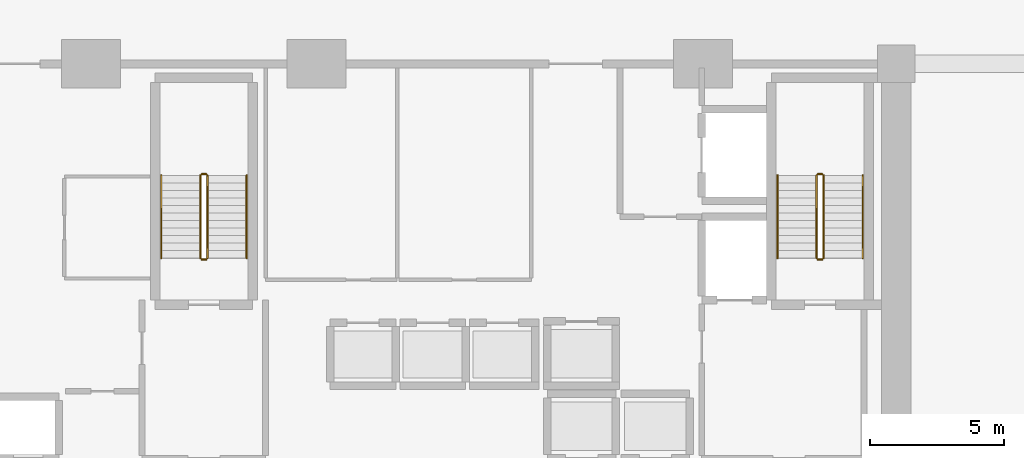
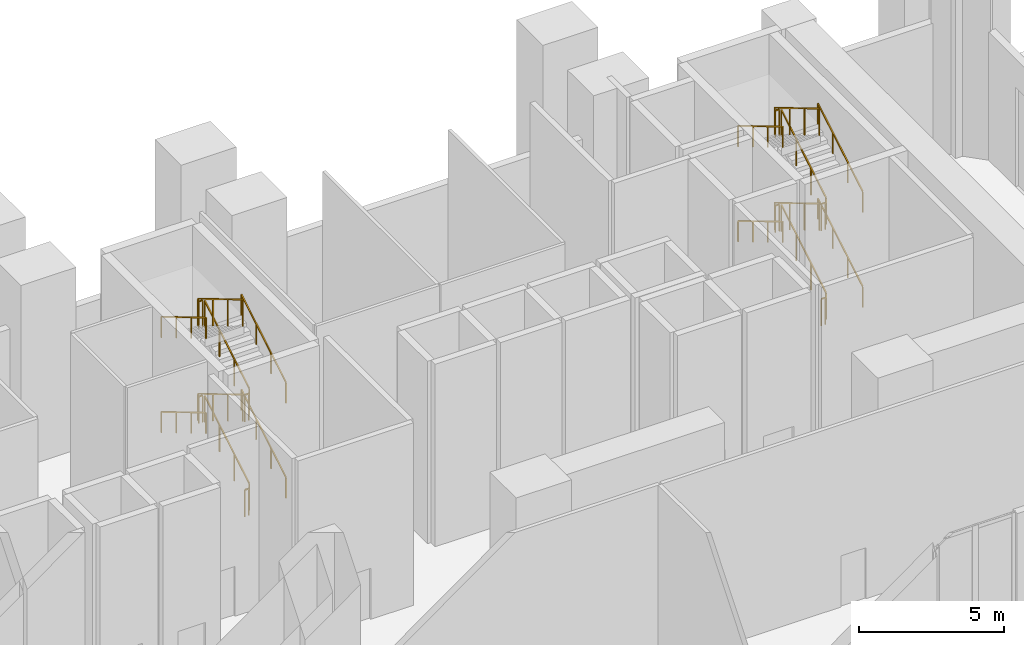
# One storey, part 16 of 17: 24 railings.
"""IFC4 building model written with IfcOpenShell, lengths in metres."""

from ifc_helpers import new_model, si_unit, direction, frame, origin, origin_2d, place, context, subcontext, project, spatial, rectangle, extrude, material, type_object, element, save


model = new_model("IFC4")

# Units and contexts
model_context = context("Model", 3, precision=1e-05, world=origin(), true_north=direction((0.0, 1.0)))
body_context = subcontext(model_context, "Body", "Model", "MODEL_VIEW")
ifc_project = project(units=[si_unit("LENGTHUNIT", "METRE"), si_unit("AREAUNIT", "SQUARE_METRE"), si_unit("VOLUMEUNIT", "CUBIC_METRE"), si_unit("PLANEANGLEUNIT", "RADIAN"), si_unit("MASSUNIT", "GRAM", prefix="KILO")], contexts=[model_context])

# Site, building, storey
site_placement = place(None, origin())
site = spatial("IfcSite", under=ifc_project, at=site_placement, CompositionType="ELEMENT")
building_placement = place(site_placement, origin())
building = spatial("IfcBuilding", under=site, at=building_placement, Name="Kaelvorn Grand Hotel", CompositionType="ELEMENT")
storey_placement = place(building_placement, origin())
storey = spatial("IfcBuildingStorey", under=building, at=storey_placement, Name="L00", CompositionType="ELEMENT", Elevation=0.0)

# Railings
ifc_material = material(Name="Stainless Steel", Category="steel")
railing_type_1 = type_object("IfcRailingType", Name="RL-HANDRAIL-900", PredefinedType="HANDRAIL", material=ifc_material)
railing_1_placement = place(storey_placement, frame((43.590087890625, 41.760009765625, 0.166748046875)))
element("IfcRailing", 1, at=railing_1_placement, inside=storey, type_object=railing_type_1, Name="L00 ST2 stair handrail 1", PredefinedType="HANDRAIL", context=body_context, shape_type="SweptSolid", body=[
    extrude(rectangle(XDim=0.048095703125, YDim=0.048095703125, at=origin_2d()), frame((0.0, 0.0, 0.8759765625), z_axis=(0.0, 0.859308565015, 0.511457515432), x_axis=(-1.0, 0.0, 0.0)), (0.0, 0.0, 1.0), 3.58447265625),
    extrude(rectangle(XDim=0.0419921875, YDim=0.0419921875, at=origin_2d()), origin(), (0.0, 0.0, 1.0), 0.851806640625),
    extrude(rectangle(XDim=0.0419921875, YDim=0.0419921875, at=origin_2d()), frame((0.0, 1.026611328125, 0.611083984375)), (0.0, 0.0, 1.0), 0.851806640625),
    extrude(rectangle(XDim=0.0419921875, YDim=0.0419921875, at=origin_2d()), frame((0.0, 2.053466796875, 1.22216796875)), (0.0, 0.0, 1.0), 0.851806640625),
    extrude(rectangle(XDim=0.0419921875, YDim=0.0419921875, at=origin_2d()), frame((0.0, 3.080078125, 1.833251953125)), (0.0, 0.0, 1.0), 0.851806640625),
])
railing_2_placement = place(storey_placement, frame((40.409912109375, 44.840087890625, 2.166748046875)))
element("IfcRailing", 2, at=railing_2_placement, inside=storey, type_object=railing_type_1, Name="L00 ST2 stair handrail 2", PredefinedType="HANDRAIL", context=body_context, shape_type="SweptSolid", body=[
    extrude(rectangle(XDim=0.048095703125, YDim=0.048095703125, at=origin_2d()), frame((0.0, 0.0, 0.8759765625), z_axis=(0.0, -0.859308565015, 0.511457515432), x_axis=(1.0, 0.0, 0.0)), (0.0, 0.0, 1.0), 3.58447265625),
    extrude(rectangle(XDim=0.0419921875, YDim=0.0419921875, at=origin_2d()), origin(), (0.0, 0.0, 1.0), 0.851806640625),
    extrude(rectangle(XDim=0.0419921875, YDim=0.0419921875, at=origin_2d()), frame((0.0, -1.026611328125, 0.611083984375)), (0.0, 0.0, 1.0), 0.851806640625),
    extrude(rectangle(XDim=0.0419921875, YDim=0.0419921875, at=origin_2d()), frame((0.0, -2.053466796875, 1.22216796875)), (0.0, 0.0, 1.0), 0.851806640625),
    extrude(rectangle(XDim=0.0419921875, YDim=0.0419921875, at=origin_2d()), frame((0.0, -3.080078125, 1.833251953125)), (0.0, 0.0, 1.0), 0.851806640625),
])
railing_3_placement = place(storey_placement, frame((43.590087890625, 41.760009765625, 4.166748046875)))
element("IfcRailing", 3, at=railing_3_placement, inside=storey, type_object=railing_type_1, Name="L00 ST2 stair handrail 3", PredefinedType="HANDRAIL", context=body_context, shape_type="SweptSolid", body=[
    extrude(rectangle(XDim=0.048095703125, YDim=0.048095703125, at=origin_2d()), frame((0.0, 0.0, 0.8759765625), z_axis=(0.0, 0.859308565015, 0.511457515432), x_axis=(-1.0, 0.0, 0.0)), (0.0, 0.0, 1.0), 3.58447265625),
    extrude(rectangle(XDim=0.0419921875, YDim=0.0419921875, at=origin_2d()), origin(), (0.0, 0.0, 1.0), 0.851806640625),
    extrude(rectangle(XDim=0.0419921875, YDim=0.0419921875, at=origin_2d()), frame((0.0, 1.026611328125, 0.611083984375)), (0.0, 0.0, 1.0), 0.851806640625),
    extrude(rectangle(XDim=0.0419921875, YDim=0.0419921875, at=origin_2d()), frame((0.0, 2.053466796875, 1.22216796875)), (0.0, 0.0, 1.0), 0.851806640625),
    extrude(rectangle(XDim=0.0419921875, YDim=0.0419921875, at=origin_2d()), frame((0.0, 3.080078125, 1.833251953125)), (0.0, 0.0, 1.0), 0.851806640625),
])
railing_4_placement = place(storey_placement, frame((40.409912109375, 44.840087890625, 6.166748046875)))
element("IfcRailing", 4, at=railing_4_placement, inside=storey, type_object=railing_type_1, Name="L00 ST2 stair handrail 4", PredefinedType="HANDRAIL", context=body_context, shape_type="SweptSolid", body=[
    extrude(rectangle(XDim=0.048095703125, YDim=0.048095703125, at=origin_2d()), frame((0.0, 0.0, 0.8759765625), z_axis=(0.0, -0.859308565015, 0.511457515432), x_axis=(1.0, 0.0, 0.0)), (0.0, 0.0, 1.0), 3.58447265625),
    extrude(rectangle(XDim=0.0419921875, YDim=0.0419921875, at=origin_2d()), origin(), (0.0, 0.0, 1.0), 0.851806640625),
    extrude(rectangle(XDim=0.0419921875, YDim=0.0419921875, at=origin_2d()), frame((0.0, -1.026611328125, 0.611083984375)), (0.0, 0.0, 1.0), 0.851806640625),
    extrude(rectangle(XDim=0.0419921875, YDim=0.0419921875, at=origin_2d()), frame((0.0, -2.053466796875, 1.22216796875)), (0.0, 0.0, 1.0), 0.851806640625),
    extrude(rectangle(XDim=0.0419921875, YDim=0.0419921875, at=origin_2d()), frame((0.0, -3.080078125, 1.833251953125)), (0.0, 0.0, 1.0), 0.851806640625),
])
railing_5_placement = place(storey_placement, frame((66.550048828125, 41.760009765625, 0.166748046875)))
element("IfcRailing", 5, at=railing_5_placement, inside=storey, type_object=railing_type_1, Name="L00 ST3 stair handrail 1", PredefinedType="HANDRAIL", context=body_context, shape_type="SweptSolid", body=[
    extrude(rectangle(XDim=0.048095703125, YDim=0.048095703125, at=origin_2d()), frame((0.0, 0.0, 0.8759765625), z_axis=(0.0, 0.859308565015, 0.511457515432), x_axis=(-1.0, 0.0, 0.0)), (0.0, 0.0, 1.0), 3.58447265625),
    extrude(rectangle(XDim=0.0419921875, YDim=0.0419921875, at=origin_2d()), origin(), (0.0, 0.0, 1.0), 0.851806640625),
    extrude(rectangle(XDim=0.0419921875, YDim=0.0419921875, at=origin_2d()), frame((0.0, 1.026611328125, 0.611083984375)), (0.0, 0.0, 1.0), 0.851806640625),
    extrude(rectangle(XDim=0.0419921875, YDim=0.0419921875, at=origin_2d()), frame((0.0, 2.053466796875, 1.22216796875)), (0.0, 0.0, 1.0), 0.851806640625),
    extrude(rectangle(XDim=0.0419921875, YDim=0.0419921875, at=origin_2d()), frame((0.0, 3.080078125, 1.833251953125)), (0.0, 0.0, 1.0), 0.851806640625),
])
railing_6_placement = place(storey_placement, frame((63.3701171875, 44.840087890625, 2.166748046875)))
element("IfcRailing", 6, at=railing_6_placement, inside=storey, type_object=railing_type_1, Name="L00 ST3 stair handrail 2", PredefinedType="HANDRAIL", context=body_context, shape_type="SweptSolid", body=[
    extrude(rectangle(XDim=0.048095703125, YDim=0.048095703125, at=origin_2d()), frame((0.0, 0.0, 0.8759765625), z_axis=(0.0, -0.859308565015, 0.511457515432), x_axis=(1.0, 0.0, 0.0)), (0.0, 0.0, 1.0), 3.58447265625),
    extrude(rectangle(XDim=0.0419921875, YDim=0.0419921875, at=origin_2d()), origin(), (0.0, 0.0, 1.0), 0.851806640625),
    extrude(rectangle(XDim=0.0419921875, YDim=0.0419921875, at=origin_2d()), frame((0.0, -1.026611328125, 0.611083984375)), (0.0, 0.0, 1.0), 0.851806640625),
    extrude(rectangle(XDim=0.0419921875, YDim=0.0419921875, at=origin_2d()), frame((0.0, -2.053466796875, 1.22216796875)), (0.0, 0.0, 1.0), 0.851806640625),
    extrude(rectangle(XDim=0.0419921875, YDim=0.0419921875, at=origin_2d()), frame((0.0, -3.080078125, 1.833251953125)), (0.0, 0.0, 1.0), 0.851806640625),
])
railing_7_placement = place(storey_placement, frame((66.550048828125, 41.760009765625, 4.166748046875)))
element("IfcRailing", 7, at=railing_7_placement, inside=storey, type_object=railing_type_1, Name="L00 ST3 stair handrail 3", PredefinedType="HANDRAIL", context=body_context, shape_type="SweptSolid", body=[
    extrude(rectangle(XDim=0.048095703125, YDim=0.048095703125, at=origin_2d()), frame((0.0, 0.0, 0.8759765625), z_axis=(0.0, 0.859308565015, 0.511457515432), x_axis=(-1.0, 0.0, 0.0)), (0.0, 0.0, 1.0), 3.58447265625),
    extrude(rectangle(XDim=0.0419921875, YDim=0.0419921875, at=origin_2d()), origin(), (0.0, 0.0, 1.0), 0.851806640625),
    extrude(rectangle(XDim=0.0419921875, YDim=0.0419921875, at=origin_2d()), frame((0.0, 1.026611328125, 0.611083984375)), (0.0, 0.0, 1.0), 0.851806640625),
    extrude(rectangle(XDim=0.0419921875, YDim=0.0419921875, at=origin_2d()), frame((0.0, 2.053466796875, 1.22216796875)), (0.0, 0.0, 1.0), 0.851806640625),
    extrude(rectangle(XDim=0.0419921875, YDim=0.0419921875, at=origin_2d()), frame((0.0, 3.080078125, 1.833251953125)), (0.0, 0.0, 1.0), 0.851806640625),
])
railing_8_placement = place(storey_placement, frame((63.3701171875, 44.840087890625, 6.166748046875)))
element("IfcRailing", 8, at=railing_8_placement, inside=storey, type_object=railing_type_1, Name="L00 ST3 stair handrail 4", PredefinedType="HANDRAIL", context=body_context, shape_type="SweptSolid", body=[
    extrude(rectangle(XDim=0.048095703125, YDim=0.048095703125, at=origin_2d()), frame((0.0, 0.0, 0.8759765625), z_axis=(0.0, -0.859308565015, 0.511457515432), x_axis=(1.0, 0.0, 0.0)), (0.0, 0.0, 1.0), 3.58447265625),
    extrude(rectangle(XDim=0.0419921875, YDim=0.0419921875, at=origin_2d()), origin(), (0.0, 0.0, 1.0), 0.851806640625),
    extrude(rectangle(XDim=0.0419921875, YDim=0.0419921875, at=origin_2d()), frame((0.0, -1.026611328125, 0.611083984375)), (0.0, 0.0, 1.0), 0.851806640625),
    extrude(rectangle(XDim=0.0419921875, YDim=0.0419921875, at=origin_2d()), frame((0.0, -2.053466796875, 1.22216796875)), (0.0, 0.0, 1.0), 0.851806640625),
    extrude(rectangle(XDim=0.0419921875, YDim=0.0419921875, at=origin_2d()), frame((0.0, -3.080078125, 1.833251953125)), (0.0, 0.0, 1.0), 0.851806640625),
])
railing_type_2 = type_object("IfcRailingType", Name="RL-STAIR-GUARD-1150", PredefinedType="BALUSTRADE", material=ifc_material)
railing_9_placement = place(storey_placement, frame((42.1298828125, 41.760009765625, 0.166748046875)))
element("IfcRailing", 9, at=railing_9_placement, inside=storey, type_object=railing_type_2, Name="L00 ST2 stair guard 1", PredefinedType="BALUSTRADE", context=body_context, shape_type="SweptSolid", body=[
    extrude(rectangle(XDim=0.048095703125, YDim=0.048095703125, at=origin_2d()), frame((0.0, 0.0, 1.1259765625), z_axis=(0.0, 0.859308565015, 0.511457515432), x_axis=(-1.0, 0.0, 0.0)), (0.0, 0.0, 1.0), 3.58447265625),
    extrude(rectangle(XDim=0.0419921875, YDim=0.0419921875, at=origin_2d()), origin(), (0.0, 0.0, 1.0), 1.101806640625),
    extrude(rectangle(XDim=0.0419921875, YDim=0.0419921875, at=origin_2d()), frame((0.0, 1.026611328125, 0.611083984375)), (0.0, 0.0, 1.0), 1.101806640625),
    extrude(rectangle(XDim=0.0419921875, YDim=0.0419921875, at=origin_2d()), frame((0.0, 2.053466796875, 1.22216796875)), (0.0, 0.0, 1.0), 1.101806640625),
    extrude(rectangle(XDim=0.0419921875, YDim=0.0419921875, at=origin_2d()), frame((0.0, 3.080078125, 1.833251953125)), (0.0, 0.0, 1.0), 1.101806640625),
])
railing_10_placement = place(storey_placement, frame((42.080078125, 44.889892578125, 2.0)))
element("IfcRailing", 10, at=railing_10_placement, inside=storey, type_object=railing_type_2, Name="L00 ST2 stair guard 2", PredefinedType="BALUSTRADE", context=body_context, shape_type="SweptSolid", body=[
    extrude(rectangle(XDim=0.048095703125, YDim=0.048095703125, at=origin_2d()), frame((0.0, 0.0, 1.1259765625), z_axis=(-1.0, 0.0, 0.0), x_axis=(0.0, -1.0, 0.0)), (0.0, 0.0, 1.0), 0.16015625),
    extrude(rectangle(XDim=0.0419921875, YDim=0.0419921875, at=origin_2d()), origin(), (0.0, 0.0, 1.0), 1.101806640625),
    extrude(rectangle(XDim=0.0419921875, YDim=0.0419921875, at=origin_2d()), frame((-0.16015625, 0.0, 0.0)), (0.0, 0.0, 1.0), 1.101806640625),
])
railing_11_placement = place(storey_placement, frame((41.8701171875, 44.840087890625, 2.166748046875)))
element("IfcRailing", 11, at=railing_11_placement, inside=storey, type_object=railing_type_2, Name="L00 ST2 stair guard 3", PredefinedType="BALUSTRADE", context=body_context, shape_type="SweptSolid", body=[
    extrude(rectangle(XDim=0.048095703125, YDim=0.048095703125, at=origin_2d()), frame((0.0, 0.0, 1.1259765625), z_axis=(0.0, -0.859308565015, 0.511457515432), x_axis=(1.0, 0.0, 0.0)), (0.0, 0.0, 1.0), 3.58447265625),
    extrude(rectangle(XDim=0.0419921875, YDim=0.0419921875, at=origin_2d()), origin(), (0.0, 0.0, 1.0), 1.101806640625),
    extrude(rectangle(XDim=0.0419921875, YDim=0.0419921875, at=origin_2d()), frame((0.0, -1.026611328125, 0.611083984375)), (0.0, 0.0, 1.0), 1.101806640625),
    extrude(rectangle(XDim=0.0419921875, YDim=0.0419921875, at=origin_2d()), frame((0.0, -2.053466796875, 1.22216796875)), (0.0, 0.0, 1.0), 1.101806640625),
    extrude(rectangle(XDim=0.0419921875, YDim=0.0419921875, at=origin_2d()), frame((0.0, -3.080078125, 1.833251953125)), (0.0, 0.0, 1.0), 1.101806640625),
])
railing_12_placement = place(storey_placement, frame((42.080078125, 41.7099609375, 4.0)))
element("IfcRailing", 12, at=railing_12_placement, inside=storey, type_object=railing_type_2, Name="L00 ST2 stair guard 4", PredefinedType="BALUSTRADE", context=body_context, shape_type="SweptSolid", body=[
    extrude(rectangle(XDim=0.048095703125, YDim=0.048095703125, at=origin_2d()), frame((0.0, 0.0, 1.1259765625), z_axis=(-1.0, 0.0, 0.0), x_axis=(0.0, -1.0, 0.0)), (0.0, 0.0, 1.0), 0.16015625),
    extrude(rectangle(XDim=0.0419921875, YDim=0.0419921875, at=origin_2d()), origin(), (0.0, 0.0, 1.0), 1.101806640625),
    extrude(rectangle(XDim=0.0419921875, YDim=0.0419921875, at=origin_2d()), frame((-0.16015625, 0.0, 0.0)), (0.0, 0.0, 1.0), 1.101806640625),
])
railing_13_placement = place(storey_placement, frame((42.1298828125, 41.760009765625, 4.166748046875)))
element("IfcRailing", 13, at=railing_13_placement, inside=storey, type_object=railing_type_2, Name="L00 ST2 stair guard 5", PredefinedType="BALUSTRADE", context=body_context, shape_type="SweptSolid", body=[
    extrude(rectangle(XDim=0.048095703125, YDim=0.048095703125, at=origin_2d()), frame((0.0, 0.0, 1.1259765625), z_axis=(0.0, 0.859308565015, 0.511457515432), x_axis=(-1.0, 0.0, 0.0)), (0.0, 0.0, 1.0), 3.58447265625),
    extrude(rectangle(XDim=0.0419921875, YDim=0.0419921875, at=origin_2d()), origin(), (0.0, 0.0, 1.0), 1.101806640625),
    extrude(rectangle(XDim=0.0419921875, YDim=0.0419921875, at=origin_2d()), frame((0.0, 1.026611328125, 0.611083984375)), (0.0, 0.0, 1.0), 1.101806640625),
    extrude(rectangle(XDim=0.0419921875, YDim=0.0419921875, at=origin_2d()), frame((0.0, 2.053466796875, 1.22216796875)), (0.0, 0.0, 1.0), 1.101806640625),
    extrude(rectangle(XDim=0.0419921875, YDim=0.0419921875, at=origin_2d()), frame((0.0, 3.080078125, 1.833251953125)), (0.0, 0.0, 1.0), 1.101806640625),
])
railing_14_placement = place(storey_placement, frame((42.080078125, 44.889892578125, 6.0)))
element("IfcRailing", 14, at=railing_14_placement, inside=storey, type_object=railing_type_2, Name="L00 ST2 stair guard 6", PredefinedType="BALUSTRADE", context=body_context, shape_type="SweptSolid", body=[
    extrude(rectangle(XDim=0.048095703125, YDim=0.048095703125, at=origin_2d()), frame((0.0, 0.0, 1.1259765625), z_axis=(-1.0, 0.0, 0.0), x_axis=(0.0, -1.0, 0.0)), (0.0, 0.0, 1.0), 0.16015625),
    extrude(rectangle(XDim=0.0419921875, YDim=0.0419921875, at=origin_2d()), origin(), (0.0, 0.0, 1.0), 1.101806640625),
    extrude(rectangle(XDim=0.0419921875, YDim=0.0419921875, at=origin_2d()), frame((-0.16015625, 0.0, 0.0)), (0.0, 0.0, 1.0), 1.101806640625),
])
railing_15_placement = place(storey_placement, frame((41.8701171875, 44.840087890625, 6.166748046875)))
element("IfcRailing", 15, at=railing_15_placement, inside=storey, type_object=railing_type_2, Name="L00 ST2 stair guard 7", PredefinedType="BALUSTRADE", context=body_context, shape_type="SweptSolid", body=[
    extrude(rectangle(XDim=0.048095703125, YDim=0.048095703125, at=origin_2d()), frame((0.0, 0.0, 1.1259765625), z_axis=(0.0, -0.859308565015, 0.511457515432), x_axis=(1.0, 0.0, 0.0)), (0.0, 0.0, 1.0), 3.58447265625),
    extrude(rectangle(XDim=0.0419921875, YDim=0.0419921875, at=origin_2d()), origin(), (0.0, 0.0, 1.0), 1.101806640625),
    extrude(rectangle(XDim=0.0419921875, YDim=0.0419921875, at=origin_2d()), frame((0.0, -1.026611328125, 0.611083984375)), (0.0, 0.0, 1.0), 1.101806640625),
    extrude(rectangle(XDim=0.0419921875, YDim=0.0419921875, at=origin_2d()), frame((0.0, -2.053466796875, 1.22216796875)), (0.0, 0.0, 1.0), 1.101806640625),
    extrude(rectangle(XDim=0.0419921875, YDim=0.0419921875, at=origin_2d()), frame((0.0, -3.080078125, 1.833251953125)), (0.0, 0.0, 1.0), 1.101806640625),
])
railing_16_placement = place(storey_placement, frame((42.080078125, 41.7099609375, 0.0)))
element("IfcRailing", 16, at=railing_16_placement, inside=storey, type_object=railing_type_2, Name="L00 ST2 stair guard 8", PredefinedType="BALUSTRADE", context=body_context, shape_type="SweptSolid", body=[
    extrude(rectangle(XDim=0.048095703125, YDim=0.048095703125, at=origin_2d()), frame((0.0, 0.0, 1.1259765625), z_axis=(-1.0, 0.0, 0.0), x_axis=(0.0, -1.0, 0.0)), (0.0, 0.0, 1.0), 0.16015625),
    extrude(rectangle(XDim=0.0419921875, YDim=0.0419921875, at=origin_2d()), origin(), (0.0, 0.0, 1.0), 1.101806640625),
    extrude(rectangle(XDim=0.0419921875, YDim=0.0419921875, at=origin_2d()), frame((-0.16015625, 0.0, 0.0)), (0.0, 0.0, 1.0), 1.101806640625),
])
railing_17_placement = place(storey_placement, frame((65.090087890625, 41.760009765625, 0.166748046875)))
element("IfcRailing", 17, at=railing_17_placement, inside=storey, type_object=railing_type_2, Name="L00 ST3 stair guard 1", PredefinedType="BALUSTRADE", context=body_context, shape_type="SweptSolid", body=[
    extrude(rectangle(XDim=0.048095703125, YDim=0.048095703125, at=origin_2d()), frame((0.0, 0.0, 1.1259765625), z_axis=(0.0, 0.859308565015, 0.511457515432), x_axis=(-1.0, 0.0, 0.0)), (0.0, 0.0, 1.0), 3.58447265625),
    extrude(rectangle(XDim=0.0419921875, YDim=0.0419921875, at=origin_2d()), origin(), (0.0, 0.0, 1.0), 1.101806640625),
    extrude(rectangle(XDim=0.0419921875, YDim=0.0419921875, at=origin_2d()), frame((0.0, 1.026611328125, 0.611083984375)), (0.0, 0.0, 1.0), 1.101806640625),
    extrude(rectangle(XDim=0.0419921875, YDim=0.0419921875, at=origin_2d()), frame((0.0, 2.053466796875, 1.22216796875)), (0.0, 0.0, 1.0), 1.101806640625),
    extrude(rectangle(XDim=0.0419921875, YDim=0.0419921875, at=origin_2d()), frame((0.0, 3.080078125, 1.833251953125)), (0.0, 0.0, 1.0), 1.101806640625),
])
railing_18_placement = place(storey_placement, frame((65.0400390625, 44.889892578125, 2.0)))
element("IfcRailing", 18, at=railing_18_placement, inside=storey, type_object=railing_type_2, Name="L00 ST3 stair guard 2", PredefinedType="BALUSTRADE", context=body_context, shape_type="SweptSolid", body=[
    extrude(rectangle(XDim=0.048095703125, YDim=0.048095703125, at=origin_2d()), frame((0.0, 0.0, 1.1259765625), z_axis=(-1.0, 0.0, 0.0), x_axis=(0.0, -1.0, 0.0)), (0.0, 0.0, 1.0), 0.16015625),
    extrude(rectangle(XDim=0.0419921875, YDim=0.0419921875, at=origin_2d()), origin(), (0.0, 0.0, 1.0), 1.101806640625),
    extrude(rectangle(XDim=0.0419921875, YDim=0.0419921875, at=origin_2d()), frame((-0.16015625, 0.0, 0.0)), (0.0, 0.0, 1.0), 1.101806640625),
])
railing_19_placement = place(storey_placement, frame((64.830078125, 44.840087890625, 2.166748046875)))
element("IfcRailing", 19, at=railing_19_placement, inside=storey, type_object=railing_type_2, Name="L00 ST3 stair guard 3", PredefinedType="BALUSTRADE", context=body_context, shape_type="SweptSolid", body=[
    extrude(rectangle(XDim=0.048095703125, YDim=0.048095703125, at=origin_2d()), frame((0.0, 0.0, 1.1259765625), z_axis=(0.0, -0.859308565015, 0.511457515432), x_axis=(1.0, 0.0, 0.0)), (0.0, 0.0, 1.0), 3.58447265625),
    extrude(rectangle(XDim=0.0419921875, YDim=0.0419921875, at=origin_2d()), origin(), (0.0, 0.0, 1.0), 1.101806640625),
    extrude(rectangle(XDim=0.0419921875, YDim=0.0419921875, at=origin_2d()), frame((0.0, -1.026611328125, 0.611083984375)), (0.0, 0.0, 1.0), 1.101806640625),
    extrude(rectangle(XDim=0.0419921875, YDim=0.0419921875, at=origin_2d()), frame((0.0, -2.053466796875, 1.22216796875)), (0.0, 0.0, 1.0), 1.101806640625),
    extrude(rectangle(XDim=0.0419921875, YDim=0.0419921875, at=origin_2d()), frame((0.0, -3.080078125, 1.833251953125)), (0.0, 0.0, 1.0), 1.101806640625),
])
railing_20_placement = place(storey_placement, frame((65.0400390625, 41.7099609375, 4.0)))
element("IfcRailing", 20, at=railing_20_placement, inside=storey, type_object=railing_type_2, Name="L00 ST3 stair guard 4", PredefinedType="BALUSTRADE", context=body_context, shape_type="SweptSolid", body=[
    extrude(rectangle(XDim=0.048095703125, YDim=0.048095703125, at=origin_2d()), frame((0.0, 0.0, 1.1259765625), z_axis=(-1.0, 0.0, 0.0), x_axis=(0.0, -1.0, 0.0)), (0.0, 0.0, 1.0), 0.16015625),
    extrude(rectangle(XDim=0.0419921875, YDim=0.0419921875, at=origin_2d()), origin(), (0.0, 0.0, 1.0), 1.101806640625),
    extrude(rectangle(XDim=0.0419921875, YDim=0.0419921875, at=origin_2d()), frame((-0.16015625, 0.0, 0.0)), (0.0, 0.0, 1.0), 1.101806640625),
])
railing_21_placement = place(storey_placement, frame((65.090087890625, 41.760009765625, 4.166748046875)))
element("IfcRailing", 21, at=railing_21_placement, inside=storey, type_object=railing_type_2, Name="L00 ST3 stair guard 5", PredefinedType="BALUSTRADE", context=body_context, shape_type="SweptSolid", body=[
    extrude(rectangle(XDim=0.048095703125, YDim=0.048095703125, at=origin_2d()), frame((0.0, 0.0, 1.1259765625), z_axis=(0.0, 0.859308565015, 0.511457515432), x_axis=(-1.0, 0.0, 0.0)), (0.0, 0.0, 1.0), 3.58447265625),
    extrude(rectangle(XDim=0.0419921875, YDim=0.0419921875, at=origin_2d()), origin(), (0.0, 0.0, 1.0), 1.101806640625),
    extrude(rectangle(XDim=0.0419921875, YDim=0.0419921875, at=origin_2d()), frame((0.0, 1.026611328125, 0.611083984375)), (0.0, 0.0, 1.0), 1.101806640625),
    extrude(rectangle(XDim=0.0419921875, YDim=0.0419921875, at=origin_2d()), frame((0.0, 2.053466796875, 1.22216796875)), (0.0, 0.0, 1.0), 1.101806640625),
    extrude(rectangle(XDim=0.0419921875, YDim=0.0419921875, at=origin_2d()), frame((0.0, 3.080078125, 1.833251953125)), (0.0, 0.0, 1.0), 1.101806640625),
])
railing_22_placement = place(storey_placement, frame((65.0400390625, 44.889892578125, 6.0)))
element("IfcRailing", 22, at=railing_22_placement, inside=storey, type_object=railing_type_2, Name="L00 ST3 stair guard 6", PredefinedType="BALUSTRADE", context=body_context, shape_type="SweptSolid", body=[
    extrude(rectangle(XDim=0.048095703125, YDim=0.048095703125, at=origin_2d()), frame((0.0, 0.0, 1.1259765625), z_axis=(-1.0, 0.0, 0.0), x_axis=(0.0, -1.0, 0.0)), (0.0, 0.0, 1.0), 0.16015625),
    extrude(rectangle(XDim=0.0419921875, YDim=0.0419921875, at=origin_2d()), origin(), (0.0, 0.0, 1.0), 1.101806640625),
    extrude(rectangle(XDim=0.0419921875, YDim=0.0419921875, at=origin_2d()), frame((-0.16015625, 0.0, 0.0)), (0.0, 0.0, 1.0), 1.101806640625),
])
railing_23_placement = place(storey_placement, frame((64.830078125, 44.840087890625, 6.166748046875)))
element("IfcRailing", 23, at=railing_23_placement, inside=storey, type_object=railing_type_2, Name="L00 ST3 stair guard 7", PredefinedType="BALUSTRADE", context=body_context, shape_type="SweptSolid", body=[
    extrude(rectangle(XDim=0.048095703125, YDim=0.048095703125, at=origin_2d()), frame((0.0, 0.0, 1.1259765625), z_axis=(0.0, -0.859308565015, 0.511457515432), x_axis=(1.0, 0.0, 0.0)), (0.0, 0.0, 1.0), 3.58447265625),
    extrude(rectangle(XDim=0.0419921875, YDim=0.0419921875, at=origin_2d()), origin(), (0.0, 0.0, 1.0), 1.101806640625),
    extrude(rectangle(XDim=0.0419921875, YDim=0.0419921875, at=origin_2d()), frame((0.0, -1.026611328125, 0.611083984375)), (0.0, 0.0, 1.0), 1.101806640625),
    extrude(rectangle(XDim=0.0419921875, YDim=0.0419921875, at=origin_2d()), frame((0.0, -2.053466796875, 1.22216796875)), (0.0, 0.0, 1.0), 1.101806640625),
    extrude(rectangle(XDim=0.0419921875, YDim=0.0419921875, at=origin_2d()), frame((0.0, -3.080078125, 1.833251953125)), (0.0, 0.0, 1.0), 1.101806640625),
])
railing_24_placement = place(storey_placement, frame((65.0400390625, 41.7099609375, 0.0)))
element("IfcRailing", 24, at=railing_24_placement, inside=storey, type_object=railing_type_2, Name="L00 ST3 stair guard 8", PredefinedType="BALUSTRADE", context=body_context, shape_type="SweptSolid", body=[
    extrude(rectangle(XDim=0.048095703125, YDim=0.048095703125, at=origin_2d()), frame((0.0, 0.0, 1.1259765625), z_axis=(-1.0, 0.0, 0.0), x_axis=(0.0, -1.0, 0.0)), (0.0, 0.0, 1.0), 0.16015625),
    extrude(rectangle(XDim=0.0419921875, YDim=0.0419921875, at=origin_2d()), origin(), (0.0, 0.0, 1.0), 1.101806640625),
    extrude(rectangle(XDim=0.0419921875, YDim=0.0419921875, at=origin_2d()), frame((-0.16015625, 0.0, 0.0)), (0.0, 0.0, 1.0), 1.101806640625),
])

save(model, "model.ifc")
